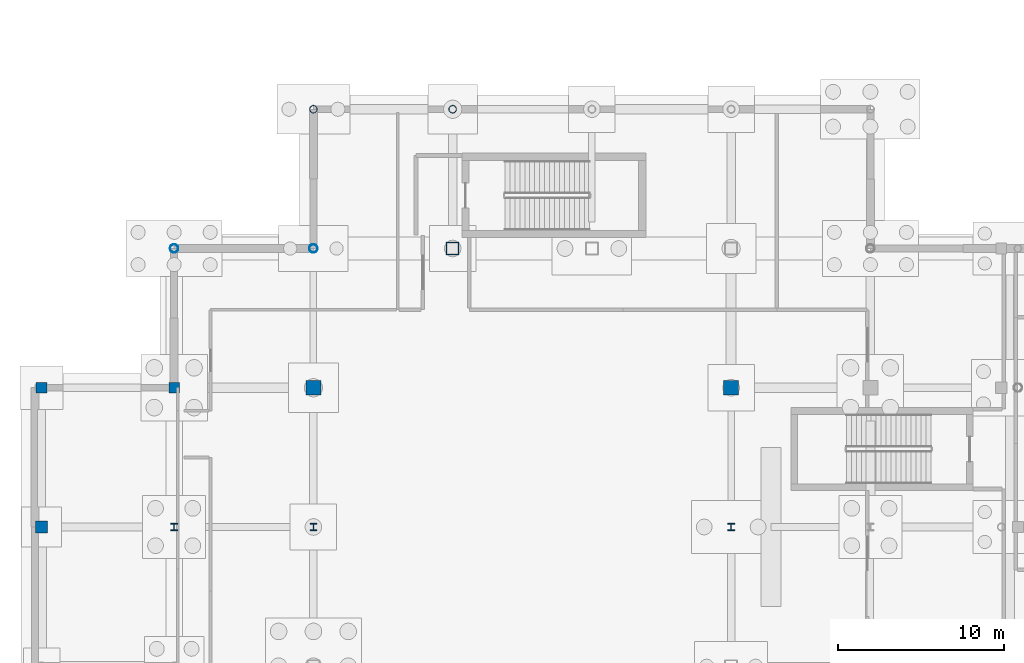
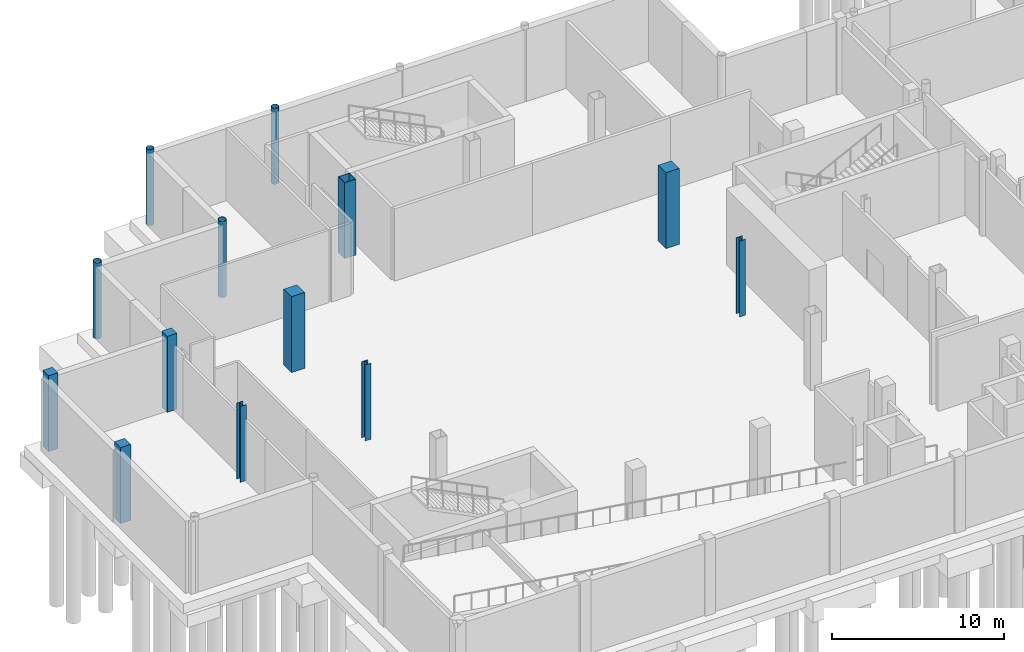
# One storey, part 12 of 49: 13 columns.
"""IFC4 building model written with IfcOpenShell, lengths in metres."""

import ifcopenshell
import ifcopenshell.guid

model = None  # the IFC model being written
_history = None  # IfcOwnerHistory: only IFC2X3 demands one
_inside = {}  # id of a spatial element -> (the spatial element, [elements in it])
_under = {}  # id of a project, library or spatial element -> (it, [spatial elements below it])
_declared = {}  # id of a project -> (the project, [libraries it declares])
_typed = {}  # id of a type object -> (the type object, [elements of that type])
_made_of = {}  # id of a material, layer set ... -> (it, [elements and type objects made of it])


def new_model(schema):
    """Start an empty IFC model of exactly this schema.

    Asked for "IFC4X3", IfcOpenShell would pick the latest addendum, in which some entities
    have other attributes; the version numbers below select the first issue.
    IFC2X3 requires an IfcOwnerHistory on every rooted entity: one is made here for all.
    """
    global model, _history
    if schema == "IFC4X3":
        model = ifcopenshell.file(schema_version=(4, 3, 0, 0))
    else:
        model = ifcopenshell.file(schema=schema)
    _inside.clear()
    _under.clear()
    _declared.clear()
    _typed.clear()
    _made_of.clear()
    _history = None
    if model.schema == "IFC2X3":
        org = make("IfcOrganization", Name="unknown")
        user = make(
            "IfcPersonAndOrganization",
            ThePerson=make("IfcPerson", FamilyName="unknown"),
            TheOrganization=org,
        )
        app = make(
            "IfcApplication",
            ApplicationDeveloper=org,
            Version="unknown",
            ApplicationFullName="unknown",
            ApplicationIdentifier="unknown",
        )
        _history = make(
            "IfcOwnerHistory",
            OwningUser=user,
            OwningApplication=app,
            ChangeAction="ADDED",
            CreationDate=0,
        )
    return model


def make(cls, **values):
    """One entity of the class cls with the attributes given. An attribute that is None is left unset."""
    return model.create_entity(
        cls, **{name: value for name, value in values.items() if value is not None}
    )


def rooted(cls, **values):
    """An entity with a GlobalId (a new one), such as an element, a storey or a relation."""
    return make(cls, GlobalId=ifcopenshell.guid.new(), OwnerHistory=_history, **values)


def si_unit(unit_type, name, prefix=None):
    """IfcSIUnit, for example si_unit("LENGTHUNIT", "METRE", prefix="MILLI")."""
    return make("IfcSIUnit", UnitType=unit_type, Prefix=prefix, Name=name)


def assignment(units):
    """IfcUnitAssignment: the units of a project."""
    return None if units is None else make("IfcUnitAssignment", Units=units)


def point(xyz):
    """IfcCartesianPoint."""
    return None if xyz is None else make("IfcCartesianPoint", Coordinates=xyz)


def direction(xyz):
    """IfcDirection."""
    return None if xyz is None else make("IfcDirection", DirectionRatios=xyz)


def frame(location, z_axis=None, x_axis=None):
    """IfcAxis2Placement3D, a coordinate frame: its origin and axes. An axis left out is left unset."""
    return make(
        "IfcAxis2Placement3D",
        Location=point(location),
        Axis=direction(z_axis),
        RefDirection=direction(x_axis),
    )


def frame_2d(location, x_axis=None):
    """IfcAxis2Placement2D, a coordinate frame in the plane: its origin and x axis."""
    return make(
        "IfcAxis2Placement2D", Location=point(location), RefDirection=direction(x_axis)
    )


def origin():
    """The frame at (0, 0, 0) with its axes left unset."""
    return frame((0.0, 0.0, 0.0))


def origin_2d():
    """The frame at (0, 0) in the plane with its x axis left unset."""
    return frame_2d((0.0, 0.0))


def place(relative_to, where):
    """IfcLocalPlacement: puts the frame where relative to a parent placement (None: the world)."""
    return make(
        "IfcLocalPlacement", PlacementRelTo=relative_to, RelativePlacement=where
    )


def context(
    kind, dimensions, precision=None, world=None, true_north=None, identifier=None
):
    """IfcGeometricRepresentationContext, for example the 3D "Model" context."""
    return make(
        "IfcGeometricRepresentationContext",
        ContextIdentifier=identifier,
        ContextType=kind,
        CoordinateSpaceDimension=dimensions,
        Precision=precision,
        WorldCoordinateSystem=world,
        TrueNorth=true_north,
    )


def subcontext(parent, identifier, kind, view, scale=None):
    """IfcGeometricRepresentationSubContext, for example "Body" below "Model"."""
    return make(
        "IfcGeometricRepresentationSubContext",
        ContextIdentifier=identifier,
        ContextType=kind,
        ParentContext=parent,
        TargetScale=scale,
        TargetView=view,
    )


def project(units=None, contexts=None):
    """IfcProject with its units and contexts."""
    return rooted(
        "IfcProject",
        Name="project",
        RepresentationContexts=contexts,
        UnitsInContext=assignment(units),
    )


def spatial(cls, under=None, at=None, **own):
    """A site, building, storey or space (cls), placed at a placement, below another one or the project."""
    s = rooted(cls, ObjectPlacement=at, **own)
    if under is not None:
        _under.setdefault(under.id(), (under, []))[1].append(s)
    return s


def profile(cls, at=None, kind="AREA", **sizes):
    """A parametric profile (cls). Its sizes go by their IFC names, for example OverallWidth=200.0."""
    return make(cls, ProfileType=kind, Position=at, **sizes)


def rectangle(**sizes):
    """IfcRectangleProfileDef."""
    return profile("IfcRectangleProfileDef", **sizes)


def hollow_rectangle(**sizes):
    """IfcRectangleHollowProfileDef."""
    return profile("IfcRectangleHollowProfileDef", **sizes)


def hollow_circle(**sizes):
    """IfcCircleHollowProfileDef."""
    return profile("IfcCircleHollowProfileDef", **sizes)


def i_section(**sizes):
    """IfcIShapeProfileDef."""
    return profile("IfcIShapeProfileDef", **sizes)


def extrude(swept, where, along, depth):
    """IfcExtrudedAreaSolid: the profile swept, set in the frame where, extruded along a direction by depth."""
    return make(
        "IfcExtrudedAreaSolid",
        SweptArea=swept,
        Position=where,
        ExtrudedDirection=direction(along),
        Depth=depth,
    )


def shape(context_of_items, identifier, shape_type, items):
    """IfcShapeRepresentation: the items that make up one representation, for example the "Body"."""
    return make(
        "IfcShapeRepresentation",
        ContextOfItems=context_of_items,
        RepresentationIdentifier=identifier,
        RepresentationType=shape_type,
        Items=items,
    )


def material(Name=None, Category=None):
    """IfcMaterial."""
    return make("IfcMaterial", Name=Name, Category=Category)


def material_profile(
    of_material, cross_section, Name=None, Category=None, Priority=None
):
    """IfcMaterialProfile: a cross section and its material."""
    return make(
        "IfcMaterialProfile",
        Name=Name,
        Material=of_material,
        Profile=cross_section,
        Priority=Priority,
        Category=Category,
    )


def profile_set(profiles, Name=None, composite=None):
    """IfcMaterialProfileSet."""
    return make(
        "IfcMaterialProfileSet",
        Name=Name,
        MaterialProfiles=profiles,
        CompositeProfile=composite,
    )


def made_of(thing, what):
    """Note that an element or type object is made of a material, layer set ...; save() writes the relation."""
    if what is not None:
        _made_of.setdefault(what.id(), (what, []))[1].append(thing)
    return thing


def type_object(cls, material=None, **own):
    """A type object (cls), such as IfcWallType, which elements share."""
    return made_of(rooted(cls, **own), material)


def element(
    cls,
    number,
    at=None,
    inside=None,
    cuts=None,
    type_object=None,
    material=None,
    context=None,
    identifier="Body",
    shape_type=None,
    held_by="IfcProductDefinitionShape",
    body=None,
    shapes=None,
    **own,
):
    """One element of the class cls, such as IfcWall. Its Tag is "e" and its number.

    at: its placement. inside: the storey or other place that contains it. cuts: it is an
    opening in that element (IfcRelVoidsElement). A single representation is given by context,
    identifier, shape_type and body (its items); several are given by shapes. held_by: the class
    of the entity that holds the representations. save() writes the other relations.
    """
    e = rooted(cls, Tag="e%d" % number, ObjectPlacement=at, **own)
    if body is not None:
        shapes = [shape(context, identifier, shape_type, body)]
    if shapes is not None:
        e.Representation = make(held_by, Representations=shapes)
    if inside is not None:
        _inside.setdefault(inside.id(), (inside, []))[1].append(e)
    if cuts is not None:
        rooted(
            "IfcRelVoidsElement", RelatingBuildingElement=cuts, RelatedOpeningElement=e
        )
    if type_object is not None:
        _typed.setdefault(type_object.id(), (type_object, []))[1].append(e)
    return made_of(e, material)


def aggregate(whole, parts):
    """IfcRelAggregates: a whole, such as a stair, and the parts it consists of."""
    return rooted("IfcRelAggregates", RelatingObject=whole, RelatedObjects=parts)


def save(model, path):
    """Write the relations noted so far, then the file.

    IfcRelAggregates (storeys below a building ...), IfcRelContainedInSpatialStructure (elements
    in a storey), IfcRelDefinesByType, IfcRelAssociatesMaterial and IfcRelDeclares: one each for
    every whole, place, type object, material and project.
    """
    for whole, parts in _under.values():
        aggregate(whole, parts)
    for where, things in _inside.values():
        rooted(
            "IfcRelContainedInSpatialStructure",
            RelatedElements=things,
            RelatingStructure=where,
        )
    for kind, things in _typed.values():
        rooted("IfcRelDefinesByType", RelatedObjects=things, RelatingType=kind)
    for what, things in _made_of.values():
        rooted("IfcRelAssociatesMaterial", RelatedObjects=things, RelatingMaterial=what)
    for by, libraries in _declared.values():
        rooted("IfcRelDeclares", RelatingContext=by, RelatedDefinitions=libraries)
    model.write(path)


model = new_model("IFC4")

# Units and contexts
model_context = context("Model", 3, precision=1e-05, world=origin(), true_north=direction((0.0, 1.0)))
body_context = subcontext(model_context, "Body", "Model", "MODEL_VIEW")
ifc_project = project(units=[si_unit("LENGTHUNIT", "METRE"), si_unit("AREAUNIT", "SQUARE_METRE"), si_unit("VOLUMEUNIT", "CUBIC_METRE"), si_unit("PLANEANGLEUNIT", "RADIAN"), si_unit("MASSUNIT", "GRAM", prefix="KILO"), si_unit("THERMODYNAMICTEMPERATUREUNIT", "KELVIN")], contexts=[model_context])

# Site, building, storey
site_placement = place(None, origin())
site = spatial("IfcSite", under=ifc_project, at=site_placement, CompositionType="ELEMENT")
building_placement = place(site_placement, origin())
building = spatial("IfcBuilding", under=site, at=building_placement, Name="Lustrewick Department Store", CompositionType="ELEMENT")
storey_placement = place(building_placement, frame((0.0, 0.0, -5.39990234375)))
storey = spatial("IfcBuildingStorey", under=building, at=storey_placement, Name="B1", CompositionType="ELEMENT", Elevation=-5.39990234375)

# Columns
ifc_material_1 = material(Name="Structural steel Q355C", Category="steel")
ifc_material_profile_1 = material_profile(ifc_material_1, hollow_rectangle(XDim=0.75, YDim=0.75, WallThickness=0.028076171875, at=origin_2d()), Name="BOX 750x750x28")
ifc_profile_set_1 = profile_set([ifc_material_profile_1], Name="Structural steel Q355C")
column_type_1 = type_object("IfcColumnType", Name="C01", PredefinedType="COLUMN", material=ifc_profile_set_1)
column_1_placement = place(storey_placement, frame((25.199951171875, 84.0, 0.0), z_axis=(0.0, 0.0, 1.0), x_axis=(1.0, 0.0, 0.0)))
element("IfcColumn", 1, at=column_1_placement, inside=storey, type_object=column_type_1, Name="B1 V1 Column C01", PredefinedType="COLUMN", context=body_context, shape_type="SweptSolid", body=[
    extrude(hollow_rectangle(XDim=0.75, YDim=0.75, WallThickness=0.028076171875, at=origin_2d()), origin(), (0.0, 0.0, 1.0), 5.39990234375),
])
ifc_material_profile_2 = material_profile(ifc_material_1, i_section(OverallWidth=0.406982421875, OverallDepth=0.427978515625, WebThickness=0.02001953125, FlangeThickness=0.034912109375, FilletRadius=0.02197265625, at=origin_2d()), Name="HW 428x407x20x35")
ifc_profile_set_2 = profile_set([ifc_material_profile_2], Name="Structural steel Q355C")
column_type_2 = type_object("IfcColumnType", Name="C09", PredefinedType="COLUMN", material=ifc_profile_set_2)
for number, where, z_axis, x_axis, name in (
    (2, (8.39990234375, 67.199951171875, 0.0), (0.0, 0.0, 1.0), (1.0, 0.0, 0.0), "B1 V1 Column C09"),
    (3, (16.800048828125, 67.199951171875, 0.0), (0.0, 0.0, 1.0), (1.0, 0.0, 0.0), "B1 V1 Column C09"),
    (4, (42.0, 67.199951171875, 0.0), (0.0, 0.0, 1.0), (1.0, 0.0, 0.0), "B1 V1 Column C09"),
):
    element("IfcColumn", number, at=place(storey_placement, frame(where, z_axis=z_axis, x_axis=x_axis)), inside=storey, type_object=column_type_2, Name=name, PredefinedType="COLUMN", context=body_context, shape_type="SweptSolid", body=[
        extrude(i_section(OverallWidth=0.406982421875, OverallDepth=0.427978515625, WebThickness=0.02001953125, FlangeThickness=0.034912109375, FilletRadius=0.02197265625, at=origin_2d()), origin(), (0.0, 0.0, 1.0), 5.39990234375),
    ])
ifc_material_2 = material(Name="Concrete C50", Category="concrete")
ifc_material_profile_3 = material_profile(ifc_material_2, rectangle(XDim=0.89990234375, YDim=0.89990234375, at=origin_2d()), Name="RC 900x900")
ifc_profile_set_3 = profile_set([ifc_material_profile_3], Name="Concrete C50")
column_type_3 = type_object("IfcColumnType", Name="C17", PredefinedType="COLUMN", material=ifc_profile_set_3)
for number, where, z_axis, x_axis, name in (
    (5, (16.800048828125, 75.60009765625, 0.0), (0.0, 0.0, 1.0), (1.0, 0.0, 0.0), "B1 V1 Column C17"),
    (6, (42.0, 75.60009765625, 0.0), (0.0, 0.0, 1.0), (1.0, 0.0, 0.0), "B1 V1 Column C17"),
):
    element("IfcColumn", number, at=place(storey_placement, frame(where, z_axis=z_axis, x_axis=x_axis)), inside=storey, type_object=column_type_3, Name=name, PredefinedType="COLUMN", context=body_context, shape_type="SweptSolid", body=[
        extrude(rectangle(XDim=0.89990234375, YDim=0.89990234375, at=origin_2d()), origin(), (0.0, 0.0, 1.0), 5.39990234375),
    ])
ifc_material_profile_4 = material_profile(ifc_material_1, hollow_circle(Radius=0.25390625, WallThickness=0.01611328125, at=origin_2d()), Name="CHS 508x16")
ifc_profile_set_4 = profile_set([ifc_material_profile_4], Name="Structural steel Q355C")
column_type_4 = type_object("IfcColumnType", Name="CE01", PredefinedType="COLUMN", material=ifc_profile_set_4)
for number, where, z_axis, x_axis, name in (
    (7, (8.39990234375, 84.0, 0.0), (0.0, 0.0, 1.0), (1.0, 0.0, 0.0), "B1 V1 Column CE01"),
    (8, (16.800048828125, 84.0, 0.0), (0.0, 0.0, 1.0), (1.0, 0.0, 0.0), "B1 V1 Column CE01"),
):
    element("IfcColumn", number, at=place(storey_placement, frame(where, z_axis=z_axis, x_axis=x_axis)), inside=storey, type_object=column_type_4, Name=name, PredefinedType="COLUMN", context=body_context, shape_type="SweptSolid", body=[
        extrude(hollow_circle(Radius=0.25390625, WallThickness=0.01611328125, at=origin_2d()), origin(), (0.0, 0.0, 1.0), 5.39990234375),
    ])
ifc_material_profile_5 = material_profile(ifc_material_1, hollow_circle(Radius=0.228515625, WallThickness=0.01611328125, at=origin_2d()), Name="CHS 457x16")
ifc_profile_set_5 = profile_set([ifc_material_profile_5], Name="Structural steel Q355C")
column_type_5 = type_object("IfcColumnType", Name="CE02", PredefinedType="COLUMN", material=ifc_profile_set_5)
for number, where, z_axis, x_axis, name in (
    (9, (16.800048828125, 92.39990234375, 0.0), (0.0, 0.0, 1.0), (1.0, 0.0, 0.0), "B1 V1 Column CE02"),
    (10, (25.199951171875, 92.39990234375, 0.0), (0.0, 0.0, 1.0), (1.0, 0.0, 0.0), "B1 V1 Column CE02"),
):
    element("IfcColumn", number, at=place(storey_placement, frame(where, z_axis=z_axis, x_axis=x_axis)), inside=storey, type_object=column_type_5, Name=name, PredefinedType="COLUMN", context=body_context, shape_type="SweptSolid", body=[
        extrude(hollow_circle(Radius=0.228515625, WallThickness=0.01611328125, at=origin_2d()), origin(), (0.0, 0.0, 1.0), 5.39990234375),
    ])
ifc_material_3 = material(Name="Concrete C40", Category="concrete")
ifc_material_profile_6 = material_profile(ifc_material_3, rectangle(XDim=0.699951171875, YDim=0.699951171875, at=origin_2d()), Name="RC 700x700")
ifc_profile_set_6 = profile_set([ifc_material_profile_6], Name="Concrete C40")
column_type_6 = type_object("IfcColumnType", Name="CE06", PredefinedType="COLUMN", material=ifc_profile_set_6)
column_2_placement = place(storey_placement, frame((0.39990234375, 67.199951171875, 0.0), z_axis=(0.0, 0.0, 1.0), x_axis=(1.0, 0.0, 0.0)))
element("IfcColumn", 11, at=column_2_placement, inside=storey, type_object=column_type_6, Name="B1 V1 Column CE06", PredefinedType="COLUMN", context=body_context, shape_type="SweptSolid", body=[
    extrude(rectangle(XDim=0.699951171875, YDim=0.699951171875, at=origin_2d()), origin(), (0.0, 0.0, 1.0), 5.39990234375),
])
ifc_material_profile_7 = material_profile(ifc_material_3, rectangle(XDim=0.64990234375, YDim=0.64990234375, at=origin_2d()), Name="RC 650x650")
ifc_profile_set_7 = profile_set([ifc_material_profile_7], Name="Concrete C40")
column_type_7 = type_object("IfcColumnType", Name="CE07", PredefinedType="COLUMN", material=ifc_profile_set_7)
for number, where, z_axis, x_axis, name in (
    (12, (0.39990234375, 75.60009765625, 0.0), (0.0, 0.0, 1.0), (1.0, 0.0, 0.0), "B1 V1 Column CE07"),
    (13, (8.39990234375, 75.60009765625, 0.0), (0.0, 0.0, 1.0), (1.0, 0.0, 0.0), "B1 V1 Column CE07"),
):
    element("IfcColumn", number, at=place(storey_placement, frame(where, z_axis=z_axis, x_axis=x_axis)), inside=storey, type_object=column_type_7, Name=name, PredefinedType="COLUMN", context=body_context, shape_type="SweptSolid", body=[
        extrude(rectangle(XDim=0.64990234375, YDim=0.64990234375, at=origin_2d()), origin(), (0.0, 0.0, 1.0), 5.39990234375),
    ])

save(model, "model.ifc")
